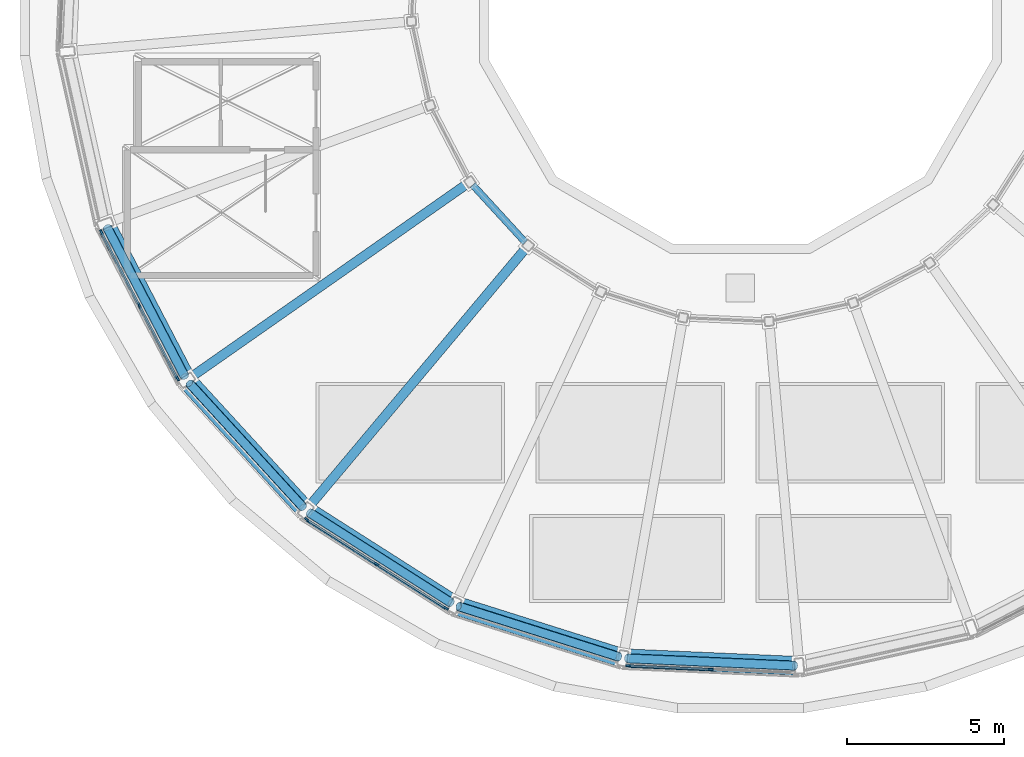
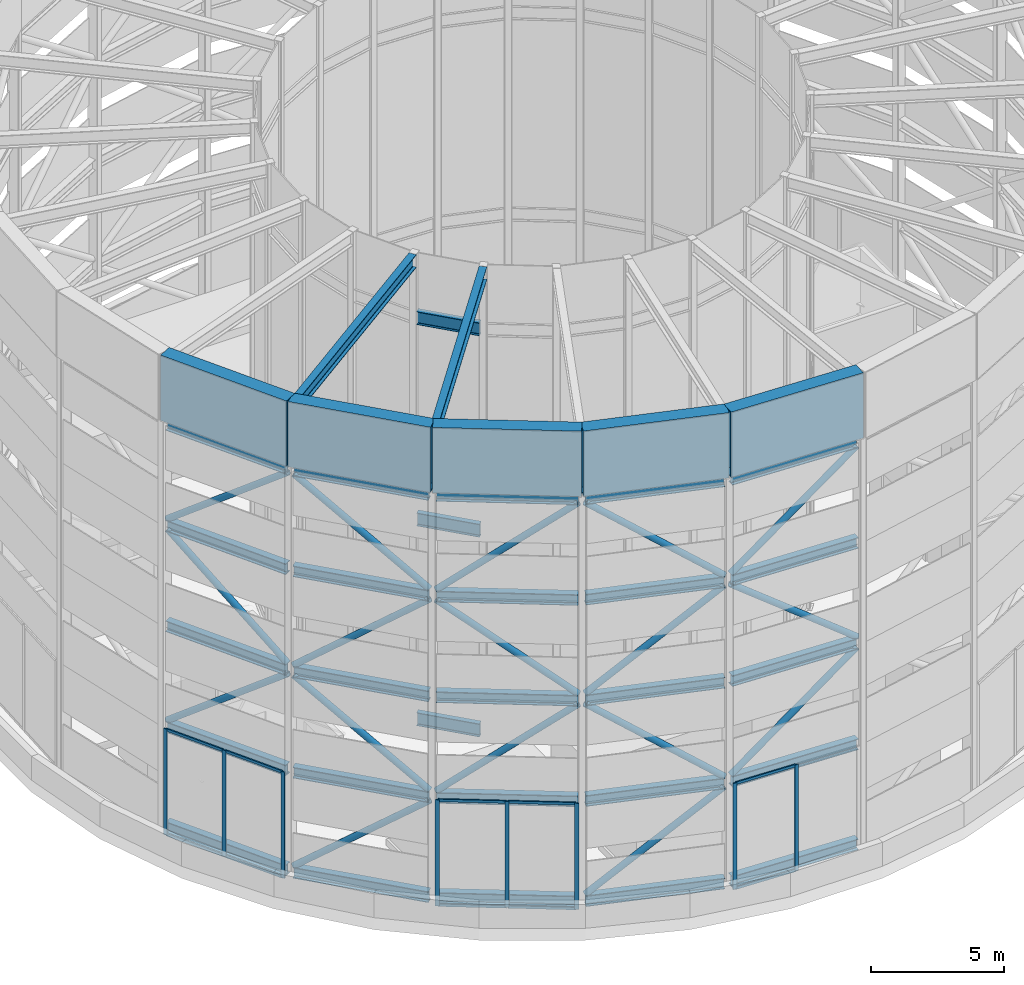
# One storey, part 4 of 20: 35 beams, 35 members, 3 elements without a shape of their own.
"""IFC4 building model written with IfcOpenShell, lengths in metres."""

from ifc_helpers import new_model, si_unit, direction, frame, origin, origin_2d, place, context, subcontext, project, spatial, rectangle, hollow_rectangle, hollow_circle, i_section, extrude, material, layer, layer_set, material_profile, profile_set, type_object, element, aggregate, save


model = new_model("IFC4")

# Units and contexts
model_context = context("Model", 3, precision=1e-05, world=origin(), true_north=direction((0.0, 1.0)))
body_context = subcontext(model_context, "Body", "Model", "MODEL_VIEW")
ifc_project = project(units=[si_unit("LENGTHUNIT", "METRE"), si_unit("AREAUNIT", "SQUARE_METRE"), si_unit("VOLUMEUNIT", "CUBIC_METRE"), si_unit("PLANEANGLEUNIT", "RADIAN"), si_unit("MASSUNIT", "GRAM", prefix="KILO")], contexts=[model_context])

# Site, building, storey
site_placement = place(None, origin())
site = spatial("IfcSite", under=ifc_project, at=site_placement, CompositionType="ELEMENT")
building_placement = place(site_placement, origin())
building = spatial("IfcBuilding", under=site, at=building_placement, Name="Saqina Gate Tower", CompositionType="ELEMENT")
storey_placement = place(building_placement, frame((0.0, 0.0, 284.199951171875)))
storey = spatial("IfcBuildingStorey", under=building, at=storey_placement, Name="RF", CompositionType="ELEMENT", Elevation=284.199951171875)

# Curtain wall, members
ifc_material_1 = material(Name="Aluminium glazing", Category="aluminium")
ifc_layer = layer(ifc_material_1, 0.159912109375)
ifc_layer_set = layer_set([ifc_layer], Name="CWT-5")
curtain_wall_type = type_object("IfcCurtainWallType", Name="CWT-5", PredefinedType="NOTDEFINED", material=ifc_layer_set)
curtain_wall_1_placement = place(storey_placement, origin())
curtain_wall_1 = element("IfcCurtainWall", 1, at=curtain_wall_1_placement, inside=storey, type_object=curtain_wall_type, Name="Crown glazing bay 14", PredefinedType="NOTDEFINED")
ifc_material_2 = material(Name="Aluminium", Category="aluminium")
ifc_material_profile_1 = material_profile(ifc_material_2, rectangle(XDim=0.06005859375, YDim=0.159912109375, at=origin_2d()), Name="Aluminium 60x160")
ifc_profile_set_1 = profile_set([ifc_material_profile_1], Name="Aluminium")
member_type_1 = type_object("IfcMemberType", Name="CWT-5M", PredefinedType="MULLION", material=ifc_profile_set_1)
member_1_placement = place(storey_placement, frame((-20.32373046875, -7.6201171875, 0.0), z_axis=(0.0, 0.0, 1.0), x_axis=(0.887009533519, 0.461751109849, 0.0)))
member_1 = element("IfcMember", 2, at=member_1_placement, type_object=member_type_1, Name="CW5-14 mullion 1", PredefinedType="MULLION", context=body_context, shape_type="SweptSolid", body=[
    extrude(rectangle(XDim=0.06005859375, YDim=0.159912109375, at=origin_2d()), origin(), (0.0, 0.0, 1.0), 4.875),
])
member_2_placement = place(storey_placement, frame((-19.111572265625, -9.948974609375, 0.0), z_axis=(0.0, 0.0, 1.0), x_axis=(0.887009533519, 0.461751109849, 0.0)))
member_2 = element("IfcMember", 3, at=member_2_placement, type_object=member_type_1, Name="CW5-14 mullion 2", PredefinedType="MULLION", context=body_context, shape_type="SweptSolid", body=[
    extrude(rectangle(XDim=0.06005859375, YDim=0.159912109375, at=origin_2d()), origin(), (0.0, 0.0, 1.0), 4.875),
])
member_3_placement = place(storey_placement, frame((-17.8994140625, -12.277587890625, 0.0), z_axis=(0.0, 0.0, 1.0), x_axis=(0.887009533519, 0.461751109849, 0.0)))
member_3 = element("IfcMember", 4, at=member_3_placement, type_object=member_type_1, Name="CW5-14 mullion 3", PredefinedType="MULLION", context=body_context, shape_type="SweptSolid", body=[
    extrude(rectangle(XDim=0.06005859375, YDim=0.159912109375, at=origin_2d()), origin(), (0.0, 0.0, 1.0), 4.875),
])

curtain_wall_2_placement = place(storey_placement, origin())
curtain_wall_2 = element("IfcCurtainWall", 5, at=curtain_wall_2_placement, inside=storey, type_object=curtain_wall_type, Name="Crown glazing bay 16", PredefinedType="NOTDEFINED")
member_4_placement = place(storey_placement, frame((-13.791015625, -16.76123046875, 0.0), z_axis=(0.0, 0.0, 1.0), x_axis=(0.537294559068, 0.843394662537, 0.0)))
member_4 = element("IfcMember", 6, at=member_4_placement, type_object=member_type_1, Name="CW5-16 mullion 1", PredefinedType="MULLION", context=body_context, shape_type="SweptSolid", body=[
    extrude(rectangle(XDim=0.06005859375, YDim=0.159912109375, at=origin_2d()), origin(), (0.0, 0.0, 1.0), 4.875),
])
member_5_placement = place(storey_placement, frame((-11.57666015625, -18.171875, 0.0), z_axis=(0.0, 0.0, 1.0), x_axis=(0.537294559068, 0.843394662537, 0.0)))
member_5 = element("IfcMember", 7, at=member_5_placement, type_object=member_type_1, Name="CW5-16 mullion 2", PredefinedType="MULLION", context=body_context, shape_type="SweptSolid", body=[
    extrude(rectangle(XDim=0.06005859375, YDim=0.159912109375, at=origin_2d()), origin(), (0.0, 0.0, 1.0), 4.875),
])
member_6_placement = place(storey_placement, frame((-9.362548828125, -19.582275390625, 0.0), z_axis=(0.0, 0.0, 1.0), x_axis=(0.537294559068, 0.843394662537, 0.0)))
member_6 = element("IfcMember", 8, at=member_6_placement, type_object=member_type_1, Name="CW5-16 mullion 3", PredefinedType="MULLION", context=body_context, shape_type="SweptSolid", body=[
    extrude(rectangle(XDim=0.06005859375, YDim=0.159912109375, at=origin_2d()), origin(), (0.0, 0.0, 1.0), 4.875),
])

curtain_wall_3_placement = place(storey_placement, origin())
curtain_wall_3 = element("IfcCurtainWall", 9, at=curtain_wall_3_placement, inside=storey, type_object=curtain_wall_type, Name="Crown glazing bay 18", PredefinedType="NOTDEFINED")
member_7_placement = place(storey_placement, frame((-3.562744140625, -21.410888671875, 0.0), z_axis=(0.0, 0.0, 1.0), x_axis=(0.043629254589, 0.999047790721, 0.0)))
member_7 = element("IfcMember", 10, at=member_7_placement, type_object=member_type_1, Name="CW5-18 mullion 1", PredefinedType="MULLION", context=body_context, shape_type="SweptSolid", body=[
    extrude(rectangle(XDim=0.06005859375, YDim=0.159912109375, at=origin_2d()), origin(), (0.0, 0.0, 1.0), 4.875),
])
member_8_placement = place(storey_placement, frame((-0.939697265625, -21.525634765625, 0.0), z_axis=(0.0, 0.0, 1.0), x_axis=(0.043629254589, 0.999047790721, 0.0)))
member_8 = element("IfcMember", 11, at=member_8_placement, type_object=member_type_1, Name="CW5-18 mullion 2", PredefinedType="MULLION", context=body_context, shape_type="SweptSolid", body=[
    extrude(rectangle(XDim=0.06005859375, YDim=0.159912109375, at=origin_2d()), origin(), (0.0, 0.0, 1.0), 4.875),
])

# Member
ifc_material_3 = material(Name="Aluminium", Category="aluminium")
ifc_material_profile_2 = material_profile(ifc_material_3, rectangle(XDim=0.06005859375, YDim=0.1201171875, at=origin_2d()), Name="Aluminium 60x120")
ifc_profile_set_2 = profile_set([ifc_material_profile_2], Name="Aluminium")
member_type_2 = type_object("IfcMemberType", Name="CWT-5T", PredefinedType="USERDEFINED", material=ifc_profile_set_2)
member_9_placement = place(storey_placement, frame((-20.31005859375, -7.646728515625, 0.030029296875), z_axis=(0.461733228292, -0.887018841903, 0.0), x_axis=(0.887018841903, 0.461733228292, 0.0)))
member_9 = element("IfcMember", 12, at=member_9_placement, type_object=member_type_2, Name="CW5-14 transom 1.1", ObjectType="TRANSOM", PredefinedType="USERDEFINED", context=body_context, shape_type="SweptSolid", body=[
    extrude(rectangle(XDim=0.06005859375, YDim=0.1201171875, at=origin_2d()), origin(), (0.0, 0.0, 1.0), 2.5654296875),
])

member_10_placement = place(storey_placement, frame((-20.31005859375, -7.646728515625, 4.844970703125), z_axis=(0.461733228292, -0.887018841903, 0.0), x_axis=(0.887018841903, 0.461733228292, 0.0)))
member_10 = element("IfcMember", 13, at=member_10_placement, type_object=member_type_2, Name="CW5-14 transom 1.2", ObjectType="TRANSOM", PredefinedType="USERDEFINED", context=body_context, shape_type="SweptSolid", body=[
    extrude(rectangle(XDim=0.06005859375, YDim=0.1201171875, at=origin_2d()), origin(), (0.0, 0.0, 1.0), 2.5654296875),
])

member_11_placement = place(storey_placement, frame((-19.09765625, -9.9755859375, 0.030029296875), z_axis=(0.461772206872, -0.88699855071, 0.0), x_axis=(0.88699855071, 0.461772206872, 0.0)))
member_11 = element("IfcMember", 14, at=member_11_placement, type_object=member_type_2, Name="CW5-14 transom 2.1", ObjectType="TRANSOM", PredefinedType="USERDEFINED", context=body_context, shape_type="SweptSolid", body=[
    extrude(rectangle(XDim=0.06005859375, YDim=0.1201171875, at=origin_2d()), origin(), (0.0, 0.0, 1.0), 2.565185546875),
])

member_12_placement = place(storey_placement, frame((-19.09765625, -9.9755859375, 4.844970703125), z_axis=(0.461772206872, -0.88699855071, 0.0), x_axis=(0.88699855071, 0.461772206872, 0.0)))
member_12 = element("IfcMember", 15, at=member_12_placement, type_object=member_type_2, Name="CW5-14 transom 2.2", ObjectType="TRANSOM", PredefinedType="USERDEFINED", context=body_context, shape_type="SweptSolid", body=[
    extrude(rectangle(XDim=0.06005859375, YDim=0.1201171875, at=origin_2d()), origin(), (0.0, 0.0, 1.0), 2.565185546875),
])

aggregate(curtain_wall_1, [member_1, member_2, member_3, member_9, member_10, member_11, member_12])

member_13_placement = place(storey_placement, frame((-13.765625, -16.77734375, 0.030029296875), z_axis=(0.843379225963, -0.537318789188, 0.0), x_axis=(0.537318789188, 0.843379225963, 0.0)))
member_13 = element("IfcMember", 16, at=member_13_placement, type_object=member_type_2, Name="CW5-16 transom 1.1", ObjectType="TRANSOM", PredefinedType="USERDEFINED", context=body_context, shape_type="SweptSolid", body=[
    extrude(rectangle(XDim=0.06005859375, YDim=0.1201171875, at=origin_2d()), origin(), (0.0, 0.0, 1.0), 2.5654296875),
])

member_14_placement = place(storey_placement, frame((-13.765625, -16.77734375, 4.844970703125), z_axis=(0.843379225963, -0.537318789188, 0.0), x_axis=(0.537318789188, 0.843379225963, 0.0)))
member_14 = element("IfcMember", 17, at=member_14_placement, type_object=member_type_2, Name="CW5-16 transom 1.2", ObjectType="TRANSOM", PredefinedType="USERDEFINED", context=body_context, shape_type="SweptSolid", body=[
    extrude(rectangle(XDim=0.06005859375, YDim=0.1201171875, at=origin_2d()), origin(), (0.0, 0.0, 1.0), 2.5654296875),
])

member_15_placement = place(storey_placement, frame((-11.551513671875, -18.18798828125, 0.030029296875), z_axis=(0.843449819418, -0.537207969155, 0.0), x_axis=(0.537207969155, 0.843449819418, 0.0)))
member_15 = element("IfcMember", 18, at=member_15_placement, type_object=member_type_2, Name="CW5-16 transom 2.1", ObjectType="TRANSOM", PredefinedType="USERDEFINED", context=body_context, shape_type="SweptSolid", body=[
    extrude(rectangle(XDim=0.06005859375, YDim=0.1201171875, at=origin_2d()), origin(), (0.0, 0.0, 1.0), 2.5654296875),
])

member_16_placement = place(storey_placement, frame((-11.551513671875, -18.18798828125, 4.844970703125), z_axis=(0.843449819418, -0.537207969155, 0.0), x_axis=(0.537207969155, 0.843449819418, 0.0)))
member_16 = element("IfcMember", 19, at=member_16_placement, type_object=member_type_2, Name="CW5-16 transom 2.2", ObjectType="TRANSOM", PredefinedType="USERDEFINED", context=body_context, shape_type="SweptSolid", body=[
    extrude(rectangle(XDim=0.06005859375, YDim=0.1201171875, at=origin_2d()), origin(), (0.0, 0.0, 1.0), 2.5654296875),
])

aggregate(curtain_wall_2, [member_4, member_5, member_6, member_13, member_14, member_15, member_16])

member_17_placement = place(storey_placement, frame((-3.53271484375, -21.412353515625, 0.030029296875), z_axis=(0.999049683206, -0.043585897781, 0.0), x_axis=(0.043585897781, 0.999049683206, 0.0)))
member_17 = element("IfcMember", 20, at=member_17_placement, type_object=member_type_2, Name="CW5-18 transom 1.1", ObjectType="TRANSOM", PredefinedType="USERDEFINED", context=body_context, shape_type="SweptSolid", body=[
    extrude(rectangle(XDim=0.06005859375, YDim=0.1201171875, at=origin_2d()), origin(), (0.0, 0.0, 1.0), 2.5654296875),
])

member_18_placement = place(storey_placement, frame((-3.53271484375, -21.412353515625, 4.844970703125), z_axis=(0.999049683206, -0.043585897781, 0.0), x_axis=(0.043585897781, 0.999049683206, 0.0)))
member_18 = element("IfcMember", 21, at=member_18_placement, type_object=member_type_2, Name="CW5-18 transom 1.2", ObjectType="TRANSOM", PredefinedType="USERDEFINED", context=body_context, shape_type="SweptSolid", body=[
    extrude(rectangle(XDim=0.06005859375, YDim=0.1201171875, at=origin_2d()), origin(), (0.0, 0.0, 1.0), 2.5654296875),
])

aggregate(curtain_wall_3, [member_7, member_8, member_17, member_18])

# Beams
ifc_material_4 = material(Name="Steel S460", Category="steel")
ifc_material_profile_3 = material_profile(ifc_material_4, hollow_rectangle(XDim=0.60009765625, YDim=3.0, WallThickness=0.0400390625, at=origin_2d()), Name="BOX 600x3000x40")
ifc_profile_set_3 = profile_set([ifc_material_profile_3], Name="Steel S460")
beam_type_1 = type_object("IfcBeamType", Name="STR-CROWN CAP GIRDER-BOX 600x3000x40", PredefinedType="BEAM", material=ifc_profile_set_3)
beam_1_placement = place(storey_placement, frame((-20.203369140625, -7.353515625, 20.5), z_axis=(0.461752626906, -0.887008743782, 0.0), x_axis=(0.887008743782, 0.461752626906, 0.0)))
element("IfcBeam", 22, at=beam_1_placement, inside=storey, type_object=beam_type_1, Name="CROWN CAP GIRDER 14", PredefinedType="BEAM", context=body_context, shape_type="SweptSolid", body=[
    extrude(hollow_rectangle(XDim=0.60009765625, YDim=3.0, WallThickness=0.0400390625, at=origin_2d()), origin(), (0.0, 0.0, 1.0), 5.6123046875),
])
beam_2_placement = place(storey_placement, frame((-17.61181640625, -12.331787109375, 20.5), z_axis=(0.67559461958, -0.737273293966, 0.0), x_axis=(0.737273293966, 0.67559461958, 0.0)))
element("IfcBeam", 23, at=beam_2_placement, inside=storey, type_object=beam_type_1, Name="CROWN CAP GIRDER 15", PredefinedType="BEAM", context=body_context, shape_type="SweptSolid", body=[
    extrude(hollow_rectangle(XDim=0.60009765625, YDim=3.0, WallThickness=0.0400390625, at=origin_2d()), origin(), (0.0, 0.0, 1.0), 5.61279296875),
])
for number, where, z_axis, x_axis, name in (
    (24, (-13.81982421875, -16.469970703125, 20.5), (0.843394506745, -0.537294803616, 0.0), (0.537294803616, 0.843394506745, 0.0), "CROWN CAP GIRDER 16"),
    (25, (-9.086181640625, -19.485595703125, 20.5), (0.953716026922, -0.300708729492, 0.0), (0.300708729492, 0.953716026922, 0.0), "CROWN CAP GIRDER 17"),
    (26, (-3.7333984375, -21.17333984375, 20.5), (0.999047768243, -0.043629769301, 0.0), (0.043629769301, 0.999047768243, 0.0), "CROWN CAP GIRDER 18"),
):
    element("IfcBeam", number, at=place(storey_placement, frame(where, z_axis=z_axis, x_axis=x_axis)), inside=storey, type_object=beam_type_1, Name=name, PredefinedType="BEAM", context=body_context, shape_type="SweptSolid", body=[
        extrude(hollow_rectangle(XDim=0.60009765625, YDim=3.0, WallThickness=0.0400390625, at=origin_2d()), origin(), (0.0, 0.0, 1.0), 5.612548828125),
    ])
ifc_material_5 = material(Name="Steel S460", Category="steel")
ifc_material_profile_4 = material_profile(ifc_material_5, i_section(OverallWidth=0.300048828125, OverallDepth=0.60009765625, WebThickness=0.015380859375, FlangeThickness=0.030029296875, FilletRadius=0.027099609375, at=origin_2d()), Name="HE 600 B")
ifc_profile_set_4 = profile_set([ifc_material_profile_4], Name="Steel S460")
beam_type_2 = type_object("IfcBeamType", Name="STR-CROWN DECK BEAM-HE 600 B", PredefinedType="BEAM", material=ifc_profile_set_4)
for number, where, z_axis, x_axis, name in (
    (27, (-8.709228515625, -6.09814453125, 21.400146484375), (-0.819140743652, -0.573592574994, 0.0), (0.573592574994, -0.819140743652, 0.0), "CROWN DECK BEAM 15"),
    (28, (-6.834228515625, -8.14453125, 21.400146484375), (-0.642780237985, -0.766050628651, 0.0), (0.766050628651, -0.642780237985, 0.0), "CROWN DECK BEAM 16"),
):
    element("IfcBeam", number, at=place(storey_placement, frame(where, z_axis=z_axis, x_axis=x_axis)), inside=storey, type_object=beam_type_2, Name=name, PredefinedType="BEAM", context=body_context, shape_type="SweptSolid", body=[
        extrude(i_section(OverallWidth=0.300048828125, OverallDepth=0.60009765625, WebThickness=0.015380859375, FlangeThickness=0.030029296875, FilletRadius=0.027099609375, at=origin_2d()), origin(), (0.0, 0.0, 1.0), 10.568115234375),
    ])

# Members
ifc_material_6 = material(Name="Steel S460", Category="steel")
ifc_material_profile_5 = material_profile(ifc_material_6, hollow_circle(Radius=0.136474609375, WallThickness=0.012451171875, at=origin_2d()), Name="CHS 273x12.5")
ifc_profile_set_5 = profile_set([ifc_material_profile_5], Name="Steel S460")
member_type_3 = type_object("IfcMemberType", Name="STR-CROWN FRAME BRACE-CHS 273x12.5", PredefinedType="BRACE", material=ifc_profile_set_5)
member_19_placement = place(storey_placement, frame((-20.142822265625, -7.469970703125, 5.113037109375), z_axis=(0.364903517729, -0.700921995661, 0.612824427343), x_axis=(0.886997034529, 0.461775119226, 0.0)))
element("IfcMember", 29, at=member_19_placement, inside=storey, type_object=member_type_3, Name="CROWN FRAME BRACE 2-14", PredefinedType="BRACE", context=body_context, shape_type="SweptSolid", body=[
    extrude(hollow_circle(Radius=0.136474609375, WallThickness=0.012451171875, at=origin_2d()), origin(), (0.0, 0.0, 1.0), 6.770263671875),
])
member_20_placement = place(storey_placement, frame((-13.90869140625, -16.373046875, 5.113037109375), z_axis=(-0.5338560336, 0.58261132659, 0.612830953459), x_axis=(-0.73728293873, -0.675584094142, 0.0)))
element("IfcMember", 30, at=member_20_placement, inside=storey, type_object=member_type_3, Name="CROWN FRAME BRACE 2-15", PredefinedType="BRACE", context=body_context, shape_type="SweptSolid", body=[
    extrude(hollow_circle(Radius=0.136474609375, WallThickness=0.012451171875, at=origin_2d()), origin(), (0.0, 0.0, 1.0), 6.77001953125),
])
for number, where, z_axis, x_axis, name in (
    (31, (-13.709228515625, -16.54052734375, 5.113037109375), (0.666474743627, -0.424579246373, 0.612816350676), (0.537288813555, 0.843398322756, 0.0), "CROWN FRAME BRACE 2-16"),
    (32, (-3.858642578125, -21.1337890625, 5.113037109375), (-0.753663006597, 0.237602179448, 0.612810963355), (-0.300674889933, -0.953726695948, 0.0), "CROWN FRAME BRACE 2-17"),
    (33, (-3.602294921875, -21.17919921875, 5.113037109375), (0.789475863672, -0.034437923072, 0.612814727413), (0.043579806387, 0.999049948939, 0.0), "CROWN FRAME BRACE 2-18"),
    (34, (-17.67236328125, -12.21533203125, 9.738037109375), (-0.364903517729, 0.700921995661, 0.612824427343), (-0.886997034529, -0.461775119226, 0.0), "CROWN FRAME BRACE 3-14"),
):
    element("IfcMember", number, at=place(storey_placement, frame(where, z_axis=z_axis, x_axis=x_axis)), inside=storey, type_object=member_type_3, Name=name, PredefinedType="BRACE", context=body_context, shape_type="SweptSolid", body=[
        extrude(hollow_circle(Radius=0.136474609375, WallThickness=0.012451171875, at=origin_2d()), origin(), (0.0, 0.0, 1.0), 6.770263671875),
    ])
member_21_placement = place(storey_placement, frame((-17.52294921875, -12.4287109375, 9.738037109375), z_axis=(0.5338560336, -0.58261132659, 0.612830953459), x_axis=(0.73728293873, 0.675584094142, 0.0)))
element("IfcMember", 35, at=member_21_placement, inside=storey, type_object=member_type_3, Name="CROWN FRAME BRACE 3-15", PredefinedType="BRACE", context=body_context, shape_type="SweptSolid", body=[
    extrude(hollow_circle(Radius=0.136474609375, WallThickness=0.012451171875, at=origin_2d()), origin(), (0.0, 0.0, 1.0), 6.77001953125),
])
for number, where, z_axis, x_axis, name in (
    (36, (-9.197021484375, -19.4150390625, 9.738037109375), (-0.666474743627, 0.424579246373, 0.612816350676), (-0.537288813555, -0.843398322756, 0.0), "CROWN FRAME BRACE 3-16"),
    (37, (-8.961181640625, -19.525146484375, 9.738037109375), (0.753663006597, -0.237602179448, 0.612810963355), (0.300674889933, 0.953726695948, 0.0), "CROWN FRAME BRACE 3-17"),
    (38, (1.74267578125, -21.412353515625, 9.738037109375), (-0.789475863672, 0.034437923072, 0.612814727413), (-0.043579806387, -0.999049948939, 0.0), "CROWN FRAME BRACE 3-18"),
    (39, (-20.142822265625, -7.469970703125, 14.363037109375), (0.364903517729, -0.700921995661, 0.612824427343), (0.886997034529, 0.461775119226, 0.0), "CROWN FRAME BRACE 4-14"),
):
    element("IfcMember", number, at=place(storey_placement, frame(where, z_axis=z_axis, x_axis=x_axis)), inside=storey, type_object=member_type_3, Name=name, PredefinedType="BRACE", context=body_context, shape_type="SweptSolid", body=[
        extrude(hollow_circle(Radius=0.136474609375, WallThickness=0.012451171875, at=origin_2d()), origin(), (0.0, 0.0, 1.0), 6.770263671875),
    ])
member_22_placement = place(storey_placement, frame((-13.90869140625, -16.373046875, 14.363037109375), z_axis=(-0.5338560336, 0.58261132659, 0.612830953459), x_axis=(-0.73728293873, -0.675584094142, 0.0)))
element("IfcMember", 40, at=member_22_placement, inside=storey, type_object=member_type_3, Name="CROWN FRAME BRACE 4-15", PredefinedType="BRACE", context=body_context, shape_type="SweptSolid", body=[
    extrude(hollow_circle(Radius=0.136474609375, WallThickness=0.012451171875, at=origin_2d()), origin(), (0.0, 0.0, 1.0), 6.77001953125),
])
for number, where, z_axis, x_axis, name in (
    (41, (-13.709228515625, -16.54052734375, 14.363037109375), (0.666474743627, -0.424579246373, 0.612816350676), (0.537288813555, 0.843398322756, 0.0), "CROWN FRAME BRACE 4-16"),
    (42, (-3.858642578125, -21.1337890625, 14.363037109375), (-0.753663006597, 0.237602179448, 0.612810963355), (-0.300674889933, -0.953726695948, 0.0), "CROWN FRAME BRACE 4-17"),
    (43, (-3.602294921875, -21.17919921875, 14.363037109375), (0.789475863672, -0.034437923072, 0.612814727413), (0.043579806387, 0.999049948939, 0.0), "CROWN FRAME BRACE 4-18"),
):
    element("IfcMember", number, at=place(storey_placement, frame(where, z_axis=z_axis, x_axis=x_axis)), inside=storey, type_object=member_type_3, Name=name, PredefinedType="BRACE", context=body_context, shape_type="SweptSolid", body=[
        extrude(hollow_circle(Radius=0.136474609375, WallThickness=0.012451171875, at=origin_2d()), origin(), (0.0, 0.0, 1.0), 6.770263671875),
    ])
ifc_material_7 = material(Name="Steel S460", Category="steel")
ifc_material_profile_6 = material_profile(ifc_material_7, hollow_circle(Radius=0.136474609375, WallThickness=0.02490234375, at=origin_2d()), Name="CHS 273x25")
ifc_profile_set_6 = profile_set([ifc_material_profile_6], Name="Steel S460")
member_type_4 = type_object("IfcMemberType", Name="STR-CROWN FRAME BRACE-CHS 273x25", PredefinedType="BRACE", material=ifc_profile_set_6)
member_23_placement = place(storey_placement, frame((-17.52294921875, -12.4287109375, 0.512939453125), z_axis=(0.5350598822, -0.583925118672, 0.610526312491), x_axis=(0.73728293873, 0.675584094142, 0.0)))
element("IfcMember", 44, at=member_23_placement, inside=storey, type_object=member_type_4, Name="CROWN FRAME BRACE 1-15", PredefinedType="BRACE", context=body_context, shape_type="SweptSolid", body=[
    extrude(hollow_circle(Radius=0.136474609375, WallThickness=0.02490234375, at=origin_2d()), origin(), (0.0, 0.0, 1.0), 6.7548828125),
])
member_24_placement = place(storey_placement, frame((-8.961181640625, -19.525146484375, 0.512939453125), z_axis=(0.755362410009, -0.238137938735, 0.61050630765), x_axis=(0.300674889933, 0.953726695948, 0.0)))
element("IfcMember", 45, at=member_24_placement, inside=storey, type_object=member_type_4, Name="CROWN FRAME BRACE 1-17", PredefinedType="BRACE", context=body_context, shape_type="SweptSolid", body=[
    extrude(hollow_circle(Radius=0.136474609375, WallThickness=0.02490234375, at=origin_2d()), origin(), (0.0, 0.0, 1.0), 6.755126953125),
])

# Beams
ifc_material_8 = material(Name="Steel S460", Category="steel")
ifc_material_profile_7 = material_profile(ifc_material_8, i_section(OverallWidth=0.219970703125, OverallDepth=0.60009765625, WebThickness=0.011962890625, FlangeThickness=0.01904296875, FilletRadius=0.02392578125, at=origin_2d()), Name="IPE 600")
ifc_profile_set_7 = profile_set([ifc_material_profile_7], Name="Steel S460")
beam_type_3 = type_object("IfcBeamType", Name="STR-CROWN RING BEAM INNER-IPE 600", PredefinedType="BEAM", material=ifc_profile_set_7)
for number, where, z_axis, x_axis, name in (
    (46, (-8.512451171875, -6.119384765625, 0.324951171875), (0.675604190614, -0.737264523509, 0.0), (0.737264523509, 0.675604190614, 0.0), "CROWN RING BEAM INNER 1-15"),
    (47, (-8.512451171875, -6.119384765625, 9.5), (0.675604190614, -0.737264523509, 0.0), (0.737264523509, 0.675604190614, 0.0), "CROWN RING BEAM INNER 3-15"),
    (48, (-8.512451171875, -6.119384765625, 18.75), (0.675604190614, -0.737264523509, 0.0), (0.737264523509, 0.675604190614, 0.0), "CROWN RING BEAM INNER 5-15"),
):
    element("IfcBeam", number, at=place(storey_placement, frame(where, z_axis=z_axis, x_axis=x_axis)), inside=storey, type_object=beam_type_3, Name=name, PredefinedType="BEAM", context=body_context, shape_type="SweptSolid", body=[
        extrude(i_section(OverallWidth=0.219970703125, OverallDepth=0.60009765625, WebThickness=0.011962890625, FlangeThickness=0.01904296875, FilletRadius=0.02392578125, at=origin_2d()), origin(), (0.0, 0.0, 1.0), 2.478515625),
    ])
ifc_material_9 = material(Name="Steel S460", Category="steel")
ifc_material_profile_8 = material_profile(ifc_material_9, i_section(OverallWidth=0.300048828125, OverallDepth=0.5, WebThickness=0.014404296875, FlangeThickness=0.028076171875, FilletRadius=0.027099609375, at=origin_2d()), Name="HE 500 B")
ifc_profile_set_8 = profile_set([ifc_material_profile_8], Name="Steel S460")
beam_type_4 = type_object("IfcBeamType", Name="STR-CROWN RING BEAM-HE 500 B", PredefinedType="BEAM", material=ifc_profile_set_8)
for number, where, z_axis, x_axis, name in (
    (49, (-20.142822265625, -7.469970703125, 0.275146484375), (0.461775119226, -0.886997034529, 0.0), (0.886997034529, 0.461775119226, 0.0), "CROWN RING BEAM 1-14"),
    (50, (-17.52294921875, -12.4287109375, 0.275146484375), (0.675584094142, -0.73728293873, 0.0), (0.73728293873, 0.675584094142, 0.0), "CROWN RING BEAM 1-15"),
):
    element("IfcBeam", number, at=place(storey_placement, frame(where, z_axis=z_axis, x_axis=x_axis)), inside=storey, type_object=beam_type_4, Name=name, PredefinedType="BEAM", context=body_context, shape_type="SweptSolid", body=[
        extrude(i_section(OverallWidth=0.300048828125, OverallDepth=0.5, WebThickness=0.014404296875, FlangeThickness=0.028076171875, FilletRadius=0.027099609375, at=origin_2d()), origin(), (0.0, 0.0, 1.0), 5.349853515625),
    ])
for number, where, z_axis, x_axis, name in (
    (51, (-13.709228515625, -16.54052734375, 0.275146484375), (0.843398322756, -0.537288813555, 0.0), (0.537288813555, 0.843398322756, 0.0), "CROWN RING BEAM 1-16"),
    (52, (-8.961181640625, -19.525146484375, 0.275146484375), (0.953726695948, -0.300674889933, 0.0), (0.300674889933, 0.953726695948, 0.0), "CROWN RING BEAM 1-17"),
    (53, (-3.602294921875, -21.17919921875, 0.275146484375), (0.999049948939, -0.043579806387, 0.0), (0.043579806387, 0.999049948939, 0.0), "CROWN RING BEAM 1-18"),
):
    element("IfcBeam", number, at=place(storey_placement, frame(where, z_axis=z_axis, x_axis=x_axis)), inside=storey, type_object=beam_type_4, Name=name, PredefinedType="BEAM", context=body_context, shape_type="SweptSolid", body=[
        extrude(i_section(OverallWidth=0.300048828125, OverallDepth=0.5, WebThickness=0.014404296875, FlangeThickness=0.028076171875, FilletRadius=0.027099609375, at=origin_2d()), origin(), (0.0, 0.0, 1.0), 5.35009765625),
    ])
for number, where, z_axis, x_axis, name in (
    (54, (-20.142822265625, -7.469970703125, 4.875), (0.461775119226, -0.886997034529, 0.0), (0.886997034529, 0.461775119226, 0.0), "CROWN RING BEAM 2-14"),
    (55, (-17.52294921875, -12.4287109375, 4.875), (0.675584094142, -0.73728293873, 0.0), (0.73728293873, 0.675584094142, 0.0), "CROWN RING BEAM 2-15"),
):
    element("IfcBeam", number, at=place(storey_placement, frame(where, z_axis=z_axis, x_axis=x_axis)), inside=storey, type_object=beam_type_4, Name=name, PredefinedType="BEAM", context=body_context, shape_type="SweptSolid", body=[
        extrude(i_section(OverallWidth=0.300048828125, OverallDepth=0.5, WebThickness=0.014404296875, FlangeThickness=0.028076171875, FilletRadius=0.027099609375, at=origin_2d()), origin(), (0.0, 0.0, 1.0), 5.349853515625),
    ])
for number, where, z_axis, x_axis, name in (
    (56, (-13.709228515625, -16.54052734375, 4.875), (0.843398322756, -0.537288813555, 0.0), (0.537288813555, 0.843398322756, 0.0), "CROWN RING BEAM 2-16"),
    (57, (-8.961181640625, -19.525146484375, 4.875), (0.953726695948, -0.300674889933, 0.0), (0.300674889933, 0.953726695948, 0.0), "CROWN RING BEAM 2-17"),
    (58, (-3.602294921875, -21.17919921875, 4.875), (0.999049948939, -0.043579806387, 0.0), (0.043579806387, 0.999049948939, 0.0), "CROWN RING BEAM 2-18"),
):
    element("IfcBeam", number, at=place(storey_placement, frame(where, z_axis=z_axis, x_axis=x_axis)), inside=storey, type_object=beam_type_4, Name=name, PredefinedType="BEAM", context=body_context, shape_type="SweptSolid", body=[
        extrude(i_section(OverallWidth=0.300048828125, OverallDepth=0.5, WebThickness=0.014404296875, FlangeThickness=0.028076171875, FilletRadius=0.027099609375, at=origin_2d()), origin(), (0.0, 0.0, 1.0), 5.35009765625),
    ])
for number, where, z_axis, x_axis, name in (
    (59, (-20.142822265625, -7.469970703125, 9.5), (0.461775119226, -0.886997034529, 0.0), (0.886997034529, 0.461775119226, 0.0), "CROWN RING BEAM 3-14"),
    (60, (-17.52294921875, -12.4287109375, 9.5), (0.675584094142, -0.73728293873, 0.0), (0.73728293873, 0.675584094142, 0.0), "CROWN RING BEAM 3-15"),
):
    element("IfcBeam", number, at=place(storey_placement, frame(where, z_axis=z_axis, x_axis=x_axis)), inside=storey, type_object=beam_type_4, Name=name, PredefinedType="BEAM", context=body_context, shape_type="SweptSolid", body=[
        extrude(i_section(OverallWidth=0.300048828125, OverallDepth=0.5, WebThickness=0.014404296875, FlangeThickness=0.028076171875, FilletRadius=0.027099609375, at=origin_2d()), origin(), (0.0, 0.0, 1.0), 5.349853515625),
    ])
for number, where, z_axis, x_axis, name in (
    (61, (-13.709228515625, -16.54052734375, 9.5), (0.843398322756, -0.537288813555, 0.0), (0.537288813555, 0.843398322756, 0.0), "CROWN RING BEAM 3-16"),
    (62, (-8.961181640625, -19.525146484375, 9.5), (0.953726695948, -0.300674889933, 0.0), (0.300674889933, 0.953726695948, 0.0), "CROWN RING BEAM 3-17"),
    (63, (-3.602294921875, -21.17919921875, 9.5), (0.999049948939, -0.043579806387, 0.0), (0.043579806387, 0.999049948939, 0.0), "CROWN RING BEAM 3-18"),
):
    element("IfcBeam", number, at=place(storey_placement, frame(where, z_axis=z_axis, x_axis=x_axis)), inside=storey, type_object=beam_type_4, Name=name, PredefinedType="BEAM", context=body_context, shape_type="SweptSolid", body=[
        extrude(i_section(OverallWidth=0.300048828125, OverallDepth=0.5, WebThickness=0.014404296875, FlangeThickness=0.028076171875, FilletRadius=0.027099609375, at=origin_2d()), origin(), (0.0, 0.0, 1.0), 5.35009765625),
    ])
for number, where, z_axis, x_axis, name in (
    (64, (-20.142822265625, -7.469970703125, 14.125), (0.461775119226, -0.886997034529, 0.0), (0.886997034529, 0.461775119226, 0.0), "CROWN RING BEAM 4-14"),
    (65, (-17.52294921875, -12.4287109375, 14.125), (0.675584094142, -0.73728293873, 0.0), (0.73728293873, 0.675584094142, 0.0), "CROWN RING BEAM 4-15"),
):
    element("IfcBeam", number, at=place(storey_placement, frame(where, z_axis=z_axis, x_axis=x_axis)), inside=storey, type_object=beam_type_4, Name=name, PredefinedType="BEAM", context=body_context, shape_type="SweptSolid", body=[
        extrude(i_section(OverallWidth=0.300048828125, OverallDepth=0.5, WebThickness=0.014404296875, FlangeThickness=0.028076171875, FilletRadius=0.027099609375, at=origin_2d()), origin(), (0.0, 0.0, 1.0), 5.349853515625),
    ])
for number, where, z_axis, x_axis, name in (
    (66, (-13.709228515625, -16.54052734375, 14.125), (0.843398322756, -0.537288813555, 0.0), (0.537288813555, 0.843398322756, 0.0), "CROWN RING BEAM 4-16"),
    (67, (-8.961181640625, -19.525146484375, 14.125), (0.953726695948, -0.300674889933, 0.0), (0.300674889933, 0.953726695948, 0.0), "CROWN RING BEAM 4-17"),
    (68, (-3.602294921875, -21.17919921875, 14.125), (0.999049948939, -0.043579806387, 0.0), (0.043579806387, 0.999049948939, 0.0), "CROWN RING BEAM 4-18"),
):
    element("IfcBeam", number, at=place(storey_placement, frame(where, z_axis=z_axis, x_axis=x_axis)), inside=storey, type_object=beam_type_4, Name=name, PredefinedType="BEAM", context=body_context, shape_type="SweptSolid", body=[
        extrude(i_section(OverallWidth=0.300048828125, OverallDepth=0.5, WebThickness=0.014404296875, FlangeThickness=0.028076171875, FilletRadius=0.027099609375, at=origin_2d()), origin(), (0.0, 0.0, 1.0), 5.35009765625),
    ])
for number, where, z_axis, x_axis, name in (
    (69, (-20.142822265625, -7.469970703125, 18.75), (0.461775119226, -0.886997034529, 0.0), (0.886997034529, 0.461775119226, 0.0), "CROWN RING BEAM 5-14"),
    (70, (-17.52294921875, -12.4287109375, 18.75), (0.675584094142, -0.73728293873, 0.0), (0.73728293873, 0.675584094142, 0.0), "CROWN RING BEAM 5-15"),
):
    element("IfcBeam", number, at=place(storey_placement, frame(where, z_axis=z_axis, x_axis=x_axis)), inside=storey, type_object=beam_type_4, Name=name, PredefinedType="BEAM", context=body_context, shape_type="SweptSolid", body=[
        extrude(i_section(OverallWidth=0.300048828125, OverallDepth=0.5, WebThickness=0.014404296875, FlangeThickness=0.028076171875, FilletRadius=0.027099609375, at=origin_2d()), origin(), (0.0, 0.0, 1.0), 5.349853515625),
    ])
for number, where, z_axis, x_axis, name in (
    (71, (-13.709228515625, -16.54052734375, 18.75), (0.843398322756, -0.537288813555, 0.0), (0.537288813555, 0.843398322756, 0.0), "CROWN RING BEAM 5-16"),
    (72, (-8.961181640625, -19.525146484375, 18.75), (0.953726695948, -0.300674889933, 0.0), (0.300674889933, 0.953726695948, 0.0), "CROWN RING BEAM 5-17"),
    (73, (-3.602294921875, -21.17919921875, 18.75), (0.999049948939, -0.043579806387, 0.0), (0.043579806387, 0.999049948939, 0.0), "CROWN RING BEAM 5-18"),
):
    element("IfcBeam", number, at=place(storey_placement, frame(where, z_axis=z_axis, x_axis=x_axis)), inside=storey, type_object=beam_type_4, Name=name, PredefinedType="BEAM", context=body_context, shape_type="SweptSolid", body=[
        extrude(i_section(OverallWidth=0.300048828125, OverallDepth=0.5, WebThickness=0.014404296875, FlangeThickness=0.028076171875, FilletRadius=0.027099609375, at=origin_2d()), origin(), (0.0, 0.0, 1.0), 5.35009765625),
    ])

save(model, "model.ifc")
